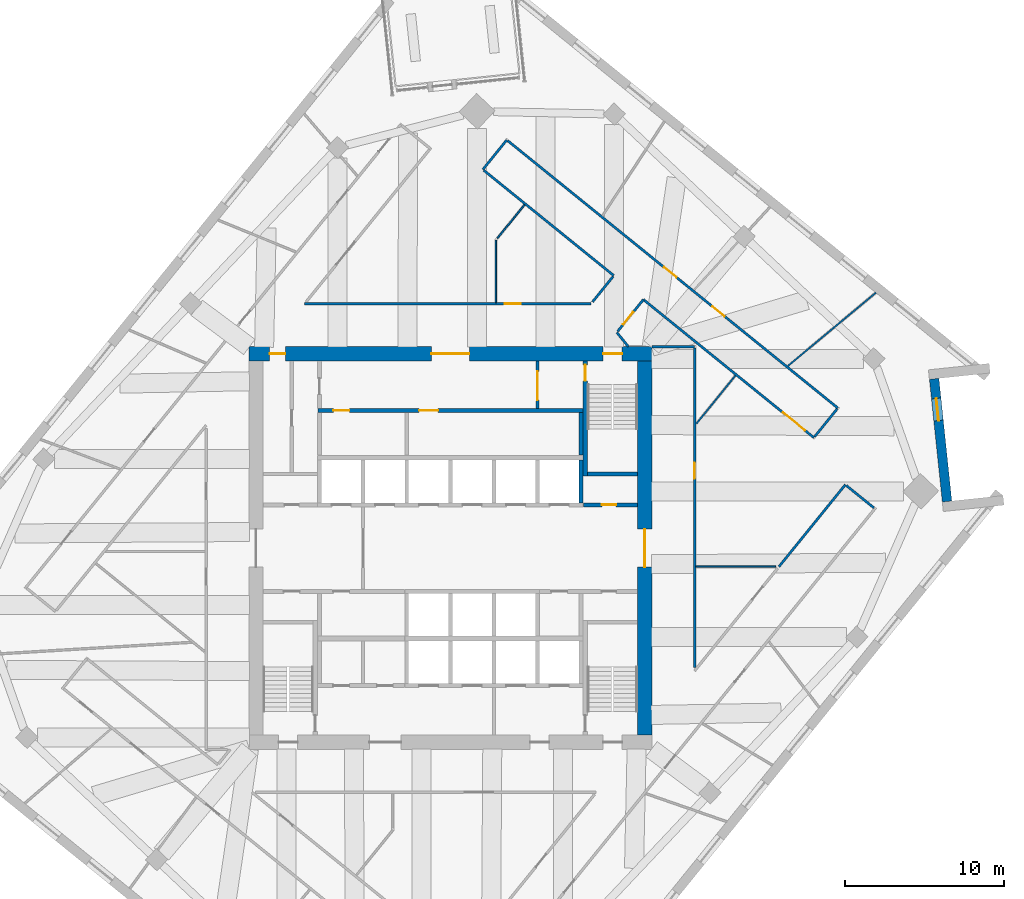
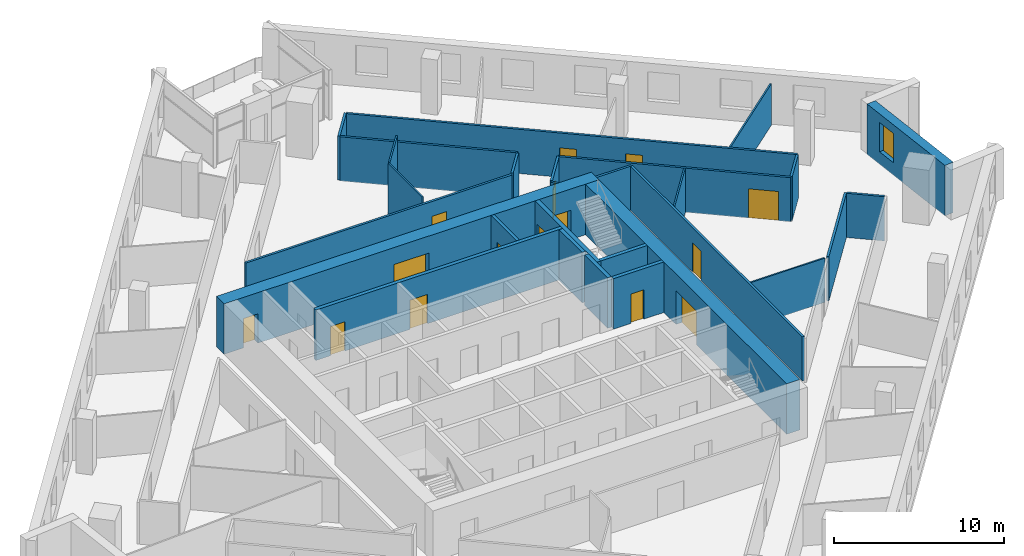
# One storey, part 11 of 14: 28 walls, 15 doors, 1 window, 16 openings.
"""IFC4 building model written with IfcOpenShell, lengths in metres."""

from ifc_helpers import new_model, si_unit, direction, frame, frame_2d, origin, place, context, subcontext, project, spatial, rectangle, extrude, material, layer, layer_set, type_object, element, fill, save


model = new_model("IFC4")

# Units and contexts
model_context = context("Model", 3, precision=1e-05, world=origin(), true_north=direction((0.0, 1.0)))
body_context = subcontext(model_context, "Body", "Model", "MODEL_VIEW")
ifc_project = project(units=[si_unit("LENGTHUNIT", "METRE"), si_unit("AREAUNIT", "SQUARE_METRE"), si_unit("VOLUMEUNIT", "CUBIC_METRE"), si_unit("PLANEANGLEUNIT", "RADIAN"), si_unit("MASSUNIT", "GRAM", prefix="KILO")], contexts=[model_context])

# Site, building, storey
site_placement = place(None, origin())
site = spatial("IfcSite", under=ifc_project, at=site_placement, CompositionType="ELEMENT")
building_placement = place(site_placement, origin())
building = spatial("IfcBuilding", under=site, at=building_placement, Name="Dilmun Exchange Tower", CompositionType="ELEMENT")
storey_placement = place(building_placement, frame((0.0, 0.0, 233.300048828125)))
storey = spatial("IfcBuildingStorey", under=building, at=storey_placement, Name="L55", CompositionType="ELEMENT", Elevation=233.300048828125)

# Wall, opening, door
ifc_material_1 = material(Name="Concrete C40/50", Category="concrete")
ifc_layer_1 = layer(ifc_material_1, 0.199951171875)
ifc_layer_set_1 = layer_set([ifc_layer_1], Name="Concrete C40/50")
wall_type_1 = type_object("IfcWallType", Name="Core partition wall 200", PredefinedType="PARTITIONING", material=ifc_layer_set_1)
wall_1_placement = place(storey_placement, frame((5.5, 8.804931640625, 0.0), z_axis=(0.0, 0.0, 1.0), x_axis=(0.0, 1.0, 0.0)))
wall_1 = element("IfcWall", 1, at=wall_1_placement, inside=storey, type_object=wall_type_1, Name="L55 core partition wall 20", PredefinedType="PARTITIONING", context=body_context, shape_type="SweptSolid", body=[
    extrude(rectangle(XDim=2.989990234375, YDim=0.199951171875, at=frame_2d((1.4951171875, 0.0))), origin(), (0.0, 0.0, 1.0), 3.619873046875),
])
opening_1_placement = place(wall_1_placement, frame((0.532470703125, 0.0, 0.0)))
opening_1 = element("IfcOpeningElement", 2, at=opening_1_placement, cuts=wall_1, Name="Opening CD5", PredefinedType="OPENING", context=body_context, shape_type="SweptSolid", body=[
    extrude(rectangle(XDim=1.800048828125, YDim=2.10009765625, at=frame_2d((0.89990234375, 1.050048828125))), frame((0.0, 0.10986328125, 0.0), z_axis=(0.0, -1.0, 0.0), x_axis=(1.0, 0.0, 0.0)), (0.0, 0.0, 1.0), 0.219970703125),
])
ifc_material_2 = material(Name="Fire-rated steel door set", Category="steel")
door_type_1 = type_object("IfcDoorType", Name="Stair exit door 1800x2100", OperationType="SINGLE_SWING_LEFT", PredefinedType="DOOR", material=ifc_material_2)
door_1_placement = place(opening_1_placement, origin())
door_1 = element("IfcDoor", 3, at=door_1_placement, inside=storey, type_object=door_type_1, Name="L55 door Core corridor east", OperationType="SINGLE_SWING_LEFT", OverallHeight=2.10009765625, OverallWidth=1.800048828125, PredefinedType="DOOR", context=body_context, shape_type="SweptSolid", body=[
    extrude(rectangle(XDim=1.800048828125, YDim=2.10009765625, at=frame_2d((0.89990234375, 1.050048828125))), frame((0.0, 0.02490234375, 0.0), z_axis=(0.0, -1.0, 0.0), x_axis=(1.0, 0.0, 0.0)), (0.0, 0.0, 1.0), 0.050048828125),
])
fill(opening_1, door_1)

ifc_layer_2 = layer(ifc_material_1, 0.25)
ifc_layer_set_2 = layer_set([ifc_layer_2], Name="Concrete C40/50")
wall_type_2 = type_object("IfcWallType", Name="Core partition wall 250", PredefinedType="PARTITIONING", material=ifc_layer_set_2)
wall_2_placement = place(storey_placement, frame((8.3798828125, 2.72509765625, 0.0), z_axis=(0.0, 0.0, 1.0), x_axis=(1.0, 0.0, 0.0)))
wall_2 = element("IfcWall", 4, at=wall_2_placement, inside=storey, type_object=wall_type_2, Name="L55 core partition wall 12", PredefinedType="PARTITIONING", context=body_context, shape_type="SweptSolid", body=[
    extrude(rectangle(XDim=3.4150390625, YDim=0.25, at=frame_2d((1.70751953125, 0.0))), origin(), (0.0, 0.0, 1.0), 3.619873046875),
])
opening_2_placement = place(wall_2_placement, frame((1.169921875, 0.0, 0.0)))
opening_2 = element("IfcOpeningElement", 5, at=opening_2_placement, cuts=wall_2, Name="Opening CD6", PredefinedType="OPENING", context=body_context, shape_type="SweptSolid", body=[
    extrude(rectangle(XDim=0.89990234375, YDim=2.10009765625, at=frame_2d((0.449951171875, 1.050048828125))), frame((0.0, 0.135009765625, 0.0), z_axis=(0.0, -1.0, 0.0), x_axis=(1.0, 0.0, 0.0)), (0.0, 0.0, 1.0), 0.27001953125),
])
door_type_2 = type_object("IfcDoorType", Name="Core room door 900x2100", OperationType="SINGLE_SWING_LEFT", PredefinedType="DOOR", material=ifc_material_2)
door_2_placement = place(opening_2_placement, origin())
door_2 = element("IfcDoor", 6, at=door_2_placement, inside=storey, type_object=door_type_2, Name="L55 door Electrical riser", OperationType="SINGLE_SWING_RIGHT", OverallHeight=2.10009765625, OverallWidth=0.89990234375, PredefinedType="DOOR", context=body_context, shape_type="SweptSolid", body=[
    extrude(rectangle(XDim=0.89990234375, YDim=2.10009765625, at=frame_2d((0.449951171875, 1.050048828125))), frame((0.0, 0.02490234375, 0.0), z_axis=(0.0, -1.0, 0.0), x_axis=(1.0, 0.0, 0.0)), (0.0, 0.0, 1.0), 0.050048828125),
])
fill(opening_2, door_2)

# Wall
wall_3_placement = place(storey_placement, frame((8.25, 5.85498046875, 0.0), z_axis=(0.0, 0.0, 1.0), x_axis=(0.0, 1.0, 0.0)))
element("IfcWall", 7, at=wall_3_placement, inside=storey, type_object=wall_type_2, Name="L55 core partition wall 17", PredefinedType="PARTITIONING", context=body_context, shape_type="SweptSolid", body=[
    extrude(rectangle(XDim=2.68994140625, YDim=0.25, at=frame_2d((1.344970703125, 0.0))), origin(), (0.0, 0.0, 1.0), 3.619873046875),
])

# Wall, openings, doors
wall_4_placement = place(storey_placement, frame((-8.35009765625, 8.675048828125, 0.0), z_axis=(0.0, 0.0, 1.0), x_axis=(1.0, 0.0, 0.0)))
wall_4 = element("IfcWall", 8, at=wall_4_placement, inside=storey, type_object=wall_type_2, Name="L55 core partition wall 18", PredefinedType="PARTITIONING", context=body_context, shape_type="SweptSolid", body=[
    extrude(rectangle(XDim=16.72021484375, YDim=0.25, at=frame_2d((8.360107421875, 0.0))), origin(), (0.0, 0.0, 1.0), 3.619873046875),
])
opening_3_placement = place(wall_4_placement, frame((0.97509765625, 0.0, 0.0)))
opening_3 = element("IfcOpeningElement", 9, at=opening_3_placement, cuts=wall_4, Name="Opening CD4", PredefinedType="OPENING", context=body_context, shape_type="SweptSolid", body=[
    extrude(rectangle(XDim=1.0, YDim=2.10009765625, at=frame_2d((0.5, 1.050048828125))), frame((0.0, 0.135009765625, 0.0), z_axis=(0.0, -1.0, 0.0), x_axis=(1.0, 0.0, 0.0)), (0.0, 0.0, 1.0), 0.27001953125),
])
opening_4_placement = place(wall_4_placement, frame((6.375, 0.0, 0.0)))
opening_4 = element("IfcOpeningElement", 10, at=opening_4_placement, cuts=wall_4, Name="Opening CD3", PredefinedType="OPENING", context=body_context, shape_type="SweptSolid", body=[
    extrude(rectangle(XDim=1.199951171875, YDim=2.10009765625, at=frame_2d((0.60009765625, 1.050048828125))), frame((0.0, 0.135009765625, 0.0), z_axis=(0.0, -1.0, 0.0), x_axis=(1.0, 0.0, 0.0)), (0.0, 0.0, 1.0), 0.27001953125),
])
door_type_3 = type_object("IfcDoorType", Name="Core room door 1000x2100", OperationType="SINGLE_SWING_LEFT", PredefinedType="DOOR", material=ifc_material_2)
door_3_placement = place(opening_3_placement, origin())
door_3 = element("IfcDoor", 11, at=door_3_placement, inside=storey, type_object=door_type_3, Name="L55 door Archive store", OperationType="SINGLE_SWING_RIGHT", OverallHeight=2.10009765625, OverallWidth=1.0, PredefinedType="DOOR", context=body_context, shape_type="SweptSolid", body=[
    extrude(rectangle(XDim=1.0, YDim=2.10009765625, at=frame_2d((0.5, 1.050048828125))), frame((0.0, 0.02490234375, 0.0), z_axis=(0.0, -1.0, 0.0), x_axis=(1.0, 0.0, 0.0)), (0.0, 0.0, 1.0), 0.050048828125),
])
fill(opening_3, door_3)
door_type_4 = type_object("IfcDoorType", Name="Stair exit door 1200x2100", OperationType="SINGLE_SWING_LEFT", PredefinedType="DOOR", material=ifc_material_2)
door_4_placement = place(opening_4_placement, origin())
door_4 = element("IfcDoor", 12, at=door_4_placement, inside=storey, type_object=door_type_4, Name="L55 door Facilities workshop", OperationType="SINGLE_SWING_LEFT", OverallHeight=2.10009765625, OverallWidth=1.199951171875, PredefinedType="DOOR", context=body_context, shape_type="SweptSolid", body=[
    extrude(rectangle(XDim=1.199951171875, YDim=2.10009765625, at=frame_2d((0.60009765625, 1.050048828125))), frame((0.0, 0.02490234375, 0.0), z_axis=(0.0, -1.0, 0.0), x_axis=(1.0, 0.0, 0.0)), (0.0, 0.0, 1.0), 0.050048828125),
])
fill(opening_4, door_4)

ifc_material_3 = material(Name="Concrete C60/75", Category="concrete")
ifc_layer_3 = layer(ifc_material_3, 0.89990234375)
ifc_layer_set_3 = layer_set([ifc_layer_3], Name="Concrete C60/75")
wall_type_3 = type_object("IfcWallType", Name="Core shear wall 900 Concrete C60/75", PredefinedType="SHEAR", material=ifc_layer_set_3)
wall_5_placement = place(storey_placement, frame((-12.699951171875, 12.25, 0.0), z_axis=(0.0, 0.0, 1.0), x_axis=(1.0, 0.0, 0.0)))
wall_5 = element("IfcWall", 13, at=wall_5_placement, inside=storey, type_object=wall_type_3, Name="L55 core shear wall N", PredefinedType="SHEAR", context=body_context, shape_type="SweptSolid", body=[
    extrude(rectangle(XDim=25.39990234375, YDim=0.89990234375, at=frame_2d((12.699951171875, 0.0))), origin(), (0.0, 0.0, 1.0), 3.619873046875),
])
opening_5_placement = place(wall_5_placement, frame((11.5, 0.0, 0.0)))
opening_5 = element("IfcOpeningElement", 14, at=opening_5_placement, cuts=wall_5, Name="Opening CD1", PredefinedType="OPENING", context=body_context, shape_type="SweptSolid", body=[
    extrude(rectangle(XDim=2.39990234375, YDim=2.39990234375, at=frame_2d((1.199951171875, 1.199951171875))), frame((0.0, 0.4599609375, 0.0), z_axis=(0.0, -1.0, 0.0), x_axis=(1.0, 0.0, 0.0)), (0.0, 0.0, 1.0), 0.919921875),
])
opening_6_placement = place(wall_5_placement, frame((22.324951171875, 0.0, 0.0)))
opening_6 = element("IfcOpeningElement", 15, at=opening_6_placement, cuts=wall_5, Name="Opening CD3", PredefinedType="OPENING", context=body_context, shape_type="SweptSolid", body=[
    extrude(rectangle(XDim=1.199951171875, YDim=2.10009765625, at=frame_2d((0.60009765625, 1.050048828125))), frame((0.0, 0.4599609375, 0.0), z_axis=(0.0, -1.0, 0.0), x_axis=(1.0, 0.0, 0.0)), (0.0, 0.0, 1.0), 0.919921875),
])
opening_7_placement = place(wall_5_placement, frame((1.300048828125, 0.0, 0.0)))
opening_7 = element("IfcOpeningElement", 16, at=opening_7_placement, cuts=wall_5, Name="Opening CD4", PredefinedType="OPENING", context=body_context, shape_type="SweptSolid", body=[
    extrude(rectangle(XDim=1.0, YDim=2.10009765625, at=frame_2d((0.5, 1.050048828125))), frame((0.0, 0.4599609375, 0.0), z_axis=(0.0, -1.0, 0.0), x_axis=(1.0, 0.0, 0.0)), (0.0, 0.0, 1.0), 0.919921875),
])
door_type_5 = type_object("IfcDoorType", Name="Core lobby door 2400x2400", OperationType="DOUBLE_DOOR_DOUBLE_SWING", PredefinedType="DOOR", material=ifc_material_2)
door_5_placement = place(opening_5_placement, origin())
door_5 = element("IfcDoor", 17, at=door_5_placement, inside=storey, type_object=door_type_5, Name="L55 door North lift lobby", OperationType="SINGLE_SWING_LEFT", OverallHeight=2.39990234375, OverallWidth=2.39990234375, PredefinedType="DOOR", context=body_context, shape_type="SweptSolid", body=[
    extrude(rectangle(XDim=2.39990234375, YDim=2.39990234375, at=frame_2d((1.199951171875, 1.199951171875))), frame((0.0, 0.02490234375, 0.0), z_axis=(0.0, -1.0, 0.0), x_axis=(1.0, 0.0, 0.0)), (0.0, 0.0, 1.0), 0.050048828125),
])
fill(opening_5, door_5)
door_6_placement = place(opening_7_placement, origin())
door_6 = element("IfcDoor", 18, at=door_6_placement, inside=storey, type_object=door_type_3, Name="L55 door North-west core rooms", OperationType="SINGLE_SWING_LEFT", OverallHeight=2.10009765625, OverallWidth=1.0, PredefinedType="DOOR", context=body_context, shape_type="SweptSolid", body=[
    extrude(rectangle(XDim=1.0, YDim=2.10009765625, at=frame_2d((0.5, 1.050048828125))), frame((0.0, 0.02490234375, 0.0), z_axis=(0.0, -1.0, 0.0), x_axis=(1.0, 0.0, 0.0)), (0.0, 0.0, 1.0), 0.050048828125),
])
fill(opening_7, door_6)
door_7_placement = place(opening_6_placement, origin())
door_7 = element("IfcDoor", 19, at=door_7_placement, inside=storey, type_object=door_type_4, Name="L55 door Stair ST1", OperationType="SINGLE_SWING_LEFT", OverallHeight=2.10009765625, OverallWidth=1.199951171875, PredefinedType="DOOR", context=body_context, shape_type="SweptSolid", body=[
    extrude(rectangle(XDim=1.199951171875, YDim=2.10009765625, at=frame_2d((0.60009765625, 1.050048828125))), frame((0.0, 0.02490234375, 0.0), z_axis=(0.0, -1.0, 0.0), x_axis=(1.0, 0.0, 0.0)), (0.0, 0.0, 1.0), 0.050048828125),
])
fill(opening_6, door_7)

# Wall, opening, door
wall_6_placement = place(storey_placement, frame((12.25, -11.800048828125, 0.0), z_axis=(0.0, 0.0, 1.0), x_axis=(0.0, 1.0, 0.0)))
wall_6 = element("IfcWall", 20, at=wall_6_placement, inside=storey, type_object=wall_type_3, Name="L55 core shear wall E", PredefinedType="SHEAR", context=body_context, shape_type="SweptSolid", body=[
    extrude(rectangle(XDim=23.60009765625, YDim=0.89990234375, at=frame_2d((11.800048828125, 0.0))), origin(), (0.0, 0.0, 1.0), 3.619873046875),
])
opening_8_placement = place(wall_6_placement, frame((10.60009765625, 0.0, 0.0)))
opening_8 = element("IfcOpeningElement", 21, at=opening_8_placement, cuts=wall_6, Name="Opening CD1", PredefinedType="OPENING", context=body_context, shape_type="SweptSolid", body=[
    extrude(rectangle(XDim=2.39990234375, YDim=2.39990234375, at=frame_2d((1.199951171875, 1.199951171875))), frame((0.0, 0.4599609375, 0.0), z_axis=(0.0, -1.0, 0.0), x_axis=(1.0, 0.0, 0.0)), (0.0, 0.0, 1.0), 0.919921875),
])
door_8_placement = place(opening_8_placement, origin())
door_8 = element("IfcDoor", 22, at=door_8_placement, inside=storey, type_object=door_type_5, Name="L55 door Central lift lobby", OperationType="SINGLE_SWING_LEFT", OverallHeight=2.39990234375, OverallWidth=2.39990234375, PredefinedType="DOOR", context=body_context, shape_type="SweptSolid", body=[
    extrude(rectangle(XDim=2.39990234375, YDim=2.39990234375, at=frame_2d((1.199951171875, 1.199951171875))), frame((0.0, 0.02490234375, 0.0), z_axis=(0.0, -1.0, 0.0), x_axis=(1.0, 0.0, 0.0)), (0.0, 0.0, 1.0), 0.050048828125),
])
fill(opening_8, door_8)

ifc_material_4 = material(Name="Corridor wall 150")
ifc_layer_4 = layer(ifc_material_4, 0.14990234375)
ifc_layer_set_4 = layer_set([ifc_layer_4], Name="Corridor wall 150")
wall_type_4 = type_object("IfcWallType", Name="Corridor wall 150", PredefinedType="PARTITIONING", material=ifc_layer_set_4)
wall_7_placement = place(storey_placement, frame((-9.196044921875, 15.39990234375, 0.0), z_axis=(0.0, 0.0, 1.0), x_axis=(1.0, 0.0, 0.0)))
wall_7 = element("IfcWall", 23, at=wall_7_placement, inside=storey, type_object=wall_type_4, Name="Corridor wall", PredefinedType="PARTITIONING", context=body_context, shape_type="SweptSolid", body=[
    extrude(rectangle(XDim=18.06005859375, YDim=0.14990234375, at=frame_2d((9.030029296875, 0.0))), origin(), (0.0, 0.0, 1.0), 3.169921875),
])
opening_9_placement = place(wall_7_placement, frame((12.620849609375, 0.0, 0.0)))
opening_9 = element("IfcOpeningElement", 24, at=opening_9_placement, cuts=wall_7, Name="Opening TF53-D15", PredefinedType="OPENING", context=body_context, shape_type="SweptSolid", body=[
    extrude(rectangle(XDim=1.0, YDim=2.10009765625, at=frame_2d((0.5, 1.050048828125))), frame((0.0, 0.0849609375, 0.0), z_axis=(0.0, -1.0, 0.0), x_axis=(1.0, 0.0, 0.0)), (0.0, 0.0, 1.0), 0.169921875),
])
ifc_material_5 = material(Name="Fire door 1000 x 2100")
door_type_6 = type_object("IfcDoorType", Name="Fire door 1000 x 2100", OperationType="NOTDEFINED", PredefinedType="DOOR", material=ifc_material_5)
door_9_placement = place(opening_9_placement, origin())
door_9 = element("IfcDoor", 25, at=door_9_placement, inside=storey, type_object=door_type_6, Name="Door TF53-D15", OperationType="SINGLE_SWING_LEFT", OverallHeight=2.10009765625, OverallWidth=1.0, PredefinedType="DOOR", context=body_context, shape_type="SweptSolid", body=[
    extrude(rectangle(XDim=1.0, YDim=2.10009765625, at=frame_2d((0.5, 1.050048828125))), frame((0.0, 0.02490234375, 0.0), z_axis=(0.0, -1.0, 0.0), x_axis=(1.0, 0.0, 0.0)), (0.0, 0.0, 1.0), 0.050048828125),
])
fill(opening_9, door_9)

# Walls
wall_8_placement = place(storey_placement, frame((2.047119140625, 23.868896484375, 0.0), z_axis=(0.0, 0.0, 1.0), x_axis=(0.62925964887, 0.777195145574, 0.0)))
element("IfcWall", 26, at=wall_8_placement, inside=storey, type_object=wall_type_4, Name="Corridor wall", PredefinedType="PARTITIONING", context=body_context, shape_type="SweptSolid", body=[
    extrude(rectangle(XDim=2.401123046875, YDim=0.14990234375, at=frame_2d((1.20068359375, 0.0))), origin(), (0.0, 0.0, 1.0), 3.169921875),
])
wall_9_placement = place(storey_placement, frame((2.105224609375, 23.82177734375, 0.0), z_axis=(0.0, 0.0, 1.0), x_axis=(0.777178600468, -0.62928008309, 0.0)))
element("IfcWall", 27, at=wall_9_placement, inside=storey, type_object=wall_type_4, Name="Corridor wall", PredefinedType="PARTITIONING", context=body_context, shape_type="SweptSolid", body=[
    extrude(rectangle(XDim=10.55322265625, YDim=0.14990234375, at=frame_2d((5.276611328125, 0.0))), origin(), (0.0, 0.0, 1.0), 3.169921875),
])

# Wall, openings, doors
wall_10_placement = place(storey_placement, frame((3.6162109375, 25.687744140625, 0.0), z_axis=(0.0, 0.0, 1.0), x_axis=(0.777137029952, -0.62933142038, 0.0)))
wall_10 = element("IfcWall", 28, at=wall_10_placement, inside=storey, type_object=wall_type_4, Name="Corridor wall", PredefinedType="PARTITIONING", context=body_context, shape_type="SweptSolid", body=[
    extrude(rectangle(XDim=26.78515625, YDim=0.14990234375, at=frame_2d((13.392578125, 0.0))), origin(), (0.0, 0.0, 1.0), 3.169921875),
])
opening_10_placement = place(wall_10_placement, frame((12.68212890625, 0.0, 0.0)))
opening_10 = element("IfcOpeningElement", 29, at=opening_10_placement, cuts=wall_10, Name="Opening TF53-D18", PredefinedType="OPENING", context=body_context, shape_type="SweptSolid", body=[
    extrude(rectangle(XDim=1.0, YDim=2.10009765625, at=frame_2d((0.5, 1.050048828125))), frame((0.0, 0.0849609375, 0.0), z_axis=(0.0, -1.0, 0.0), x_axis=(1.0, 0.0, 0.0)), (0.0, 0.0, 1.0), 0.169921875),
])
opening_11_placement = place(wall_10_placement, frame((16.596923828125, 0.0, 0.0)))
opening_11 = element("IfcOpeningElement", 30, at=opening_11_placement, cuts=wall_10, Name="Opening TF53-D22", PredefinedType="OPENING", context=body_context, shape_type="SweptSolid", body=[
    extrude(rectangle(XDim=1.0, YDim=2.10009765625, at=frame_2d((0.5, 1.050048828125))), frame((0.0, 0.0849609375, 0.0), z_axis=(0.0, -1.0, 0.0), x_axis=(1.0, 0.0, 0.0)), (0.0, 0.0, 1.0), 0.169921875),
])
door_10_placement = place(opening_10_placement, origin())
door_10 = element("IfcDoor", 31, at=door_10_placement, inside=storey, type_object=door_type_6, Name="Door TF53-D18", OperationType="SINGLE_SWING_LEFT", OverallHeight=2.10009765625, OverallWidth=1.0, PredefinedType="DOOR", context=body_context, shape_type="SweptSolid", body=[
    extrude(rectangle(XDim=1.0, YDim=2.10009765625, at=frame_2d((0.5, 1.050048828125))), frame((0.0, 0.02490234375, 0.0), z_axis=(0.0, -1.0, 0.0), x_axis=(1.0, 0.0, 0.0)), (0.0, 0.0, 1.0), 0.050048828125),
])
fill(opening_10, door_10)
door_11_placement = place(opening_11_placement, origin())
door_11 = element("IfcDoor", 32, at=door_11_placement, inside=storey, type_object=door_type_6, Name="Door TF53-D22", OperationType="SINGLE_SWING_RIGHT", OverallHeight=2.10009765625, OverallWidth=1.0, PredefinedType="DOOR", context=body_context, shape_type="SweptSolid", body=[
    extrude(rectangle(XDim=1.0, YDim=2.10009765625, at=frame_2d((0.5, 1.050048828125))), frame((0.0, 0.02490234375, 0.0), z_axis=(0.0, -1.0, 0.0), x_axis=(1.0, 0.0, 0.0)), (0.0, 0.0, 1.0), 0.050048828125),
])
fill(opening_11, door_11)

# Walls
wall_11_placement = place(storey_placement, frame((8.962890625, 15.522216796875, 0.0), z_axis=(0.0, 0.0, 1.0), x_axis=(0.629539094885, 0.776968807618, 0.0)))
element("IfcWall", 33, at=wall_11_placement, inside=storey, type_object=wall_type_4, Name="Corridor wall", PredefinedType="PARTITIONING", context=body_context, shape_type="SweptSolid", body=[
    extrude(rectangle(XDim=2.06005859375, YDim=0.14990234375, at=frame_2d((1.030029296875, 0.0))), origin(), (0.0, 0.0, 1.0), 3.169921875),
])
wall_12_placement = place(storey_placement, frame((10.4951171875, 13.60009765625, 0.0), z_axis=(0.0, 0.0, 1.0), x_axis=(0.629870659229, -0.776700040326, 0.0)))
element("IfcWall", 34, at=wall_12_placement, inside=storey, type_object=wall_type_4, Name="Corridor wall", PredefinedType="PARTITIONING", context=body_context, shape_type="SweptSolid", body=[
    extrude(rectangle(XDim=1.158935546875, YDim=0.14990234375, at=frame_2d((0.57958984375, 0.0))), origin(), (0.0, 0.0, 1.0), 3.169921875),
])

# Wall, opening, door
wall_13_placement = place(storey_placement, frame((10.55322265625, 13.671875, 0.0), z_axis=(0.0, 0.0, 1.0), x_axis=(0.629534094475, 0.776972859174, 0.0)))
wall_13 = element("IfcWall", 35, at=wall_13_placement, inside=storey, type_object=wall_type_4, Name="Corridor wall", PredefinedType="PARTITIONING", context=body_context, shape_type="SweptSolid", body=[
    extrude(rectangle(XDim=2.571533203125, YDim=0.14990234375, at=frame_2d((1.28564453125, 0.0))), origin(), (0.0, 0.0, 1.0), 3.169921875),
])
opening_12_placement = place(wall_13_placement, frame((0.550048828125, 0.0, 0.0)))
opening_12 = element("IfcOpeningElement", 36, at=opening_12_placement, cuts=wall_13, Name="Opening TF53-D17", PredefinedType="OPENING", context=body_context, shape_type="SweptSolid", body=[
    extrude(rectangle(XDim=1.0, YDim=2.10009765625, at=frame_2d((0.5, 1.050048828125))), frame((0.0, 0.0849609375, 0.0), z_axis=(0.0, -1.0, 0.0), x_axis=(1.0, 0.0, 0.0)), (0.0, 0.0, 1.0), 0.169921875),
])
door_12_placement = place(opening_12_placement, frame((1.0, 0.0, 0.0), z_axis=(0.0, 0.0, 1.0), x_axis=(-1.0, 0.0, 0.0)))
door_12 = element("IfcDoor", 37, at=door_12_placement, inside=storey, type_object=door_type_6, Name="Door TF53-D17", OperationType="SINGLE_SWING_LEFT", OverallHeight=2.10009765625, OverallWidth=1.0, PredefinedType="DOOR", context=body_context, shape_type="SweptSolid", body=[
    extrude(rectangle(XDim=1.0, YDim=2.10009765625, at=frame_2d((0.5, 1.050048828125))), frame((0.0, 0.02490234375, 0.0), z_axis=(0.0, -1.0, 0.0), x_axis=(1.0, 0.0, 0.0)), (0.0, 0.0, 1.0), 0.050048828125),
])
fill(opening_12, door_12)

wall_14_placement = place(storey_placement, frame((12.172119140625, 15.6708984375, 0.0), z_axis=(0.0, 0.0, 1.0), x_axis=(0.777123609621, -0.629347992266, 0.0)))
wall_14 = element("IfcWall", 38, at=wall_14_placement, inside=storey, type_object=wall_type_4, Name="Corridor wall", PredefinedType="PARTITIONING", context=body_context, shape_type="SweptSolid", body=[
    extrude(rectangle(XDim=13.8330078125, YDim=0.14990234375, at=frame_2d((6.91650390625, 0.0))), origin(), (0.0, 0.0, 1.0), 3.169921875),
])
opening_13_placement = place(wall_14_placement, frame((11.32373046875, 0.0, 0.0)))
opening_13 = element("IfcOpeningElement", 39, at=opening_13_placement, cuts=wall_14, Name="Opening TF53-D23", PredefinedType="OPENING", context=body_context, shape_type="SweptSolid", body=[
    extrude(rectangle(XDim=1.800048828125, YDim=2.10009765625, at=frame_2d((0.89990234375, 1.050048828125))), frame((0.0, 0.0849609375, 0.0), z_axis=(0.0, -1.0, 0.0), x_axis=(1.0, 0.0, 0.0)), (0.0, 0.0, 1.0), 0.169921875),
])
ifc_material_6 = material(Name="Fire door pair 1800 x 2100")
door_type_7 = type_object("IfcDoorType", Name="Fire door pair 1800 x 2100", OperationType="NOTDEFINED", PredefinedType="DOOR", material=ifc_material_6)
door_13_placement = place(opening_13_placement, frame((1.800048828125, 0.0, 0.0), z_axis=(0.0, 0.0, 1.0), x_axis=(-1.0, 0.0, 0.0)))
door_13 = element("IfcDoor", 40, at=door_13_placement, inside=storey, type_object=door_type_7, Name="Door TF53-D23", OperationType="DOUBLE_DOOR_SINGLE_SWING", OverallHeight=2.10009765625, OverallWidth=1.800048828125, PredefinedType="DOOR", context=body_context, shape_type="SweptSolid", body=[
    extrude(rectangle(XDim=1.800048828125, YDim=2.10009765625, at=frame_2d((0.89990234375, 1.050048828125))), frame((0.0, 0.02490234375, 0.0), z_axis=(0.0, -1.0, 0.0), x_axis=(1.0, 0.0, 0.0)), (0.0, 0.0, 1.0), 0.050048828125),
])
fill(opening_13, door_13)

# Wall
wall_15_placement = place(storey_placement, frame((12.699951171875, 12.699951171875, 0.0), z_axis=(0.0, 0.0, 1.0), x_axis=(1.0, 0.0, 0.0)))
element("IfcWall", 41, at=wall_15_placement, inside=storey, type_object=wall_type_4, Name="Corridor wall", PredefinedType="PARTITIONING", context=body_context, shape_type="SweptSolid", body=[
    extrude(rectangle(XDim=2.699951171875, YDim=0.14990234375, at=frame_2d((1.35009765625, 0.0))), origin(), (0.0, 0.0, 1.0), 3.169921875),
])

# Wall, opening, door
wall_16_placement = place(storey_placement, frame((15.39990234375, -7.527099609375, 0.0), z_axis=(0.0, 0.0, 1.0), x_axis=(0.0, 1.0, 0.0)))
wall_16 = element("IfcWall", 42, at=wall_16_placement, inside=storey, type_object=wall_type_4, Name="Corridor wall", PredefinedType="PARTITIONING", context=body_context, shape_type="SweptSolid", body=[
    extrude(rectangle(XDim=20.152099609375, YDim=0.14990234375, at=frame_2d((10.076171875, 0.0))), origin(), (0.0, 0.0, 1.0), 3.169921875),
])
opening_14_placement = place(wall_16_placement, frame((11.908447265625, 0.0, 0.0)))
opening_14 = element("IfcOpeningElement", 43, at=opening_14_placement, cuts=wall_16, Name="Opening TF53-D24", PredefinedType="OPENING", context=body_context, shape_type="SweptSolid", body=[
    extrude(rectangle(XDim=1.0, YDim=2.10009765625, at=frame_2d((0.5, 1.050048828125))), frame((0.0, 0.0849609375, 0.0), z_axis=(0.0, -1.0, 0.0), x_axis=(1.0, 0.0, 0.0)), (0.0, 0.0, 1.0), 0.169921875),
])
door_14_placement = place(opening_14_placement, frame((1.0, 0.0, 0.0), z_axis=(0.0, 0.0, 1.0), x_axis=(-1.0, 0.0, 0.0)))
door_14 = element("IfcDoor", 44, at=door_14_placement, inside=storey, type_object=door_type_6, Name="Door TF53-D24", OperationType="SINGLE_SWING_RIGHT", OverallHeight=2.10009765625, OverallWidth=1.0, PredefinedType="DOOR", context=body_context, shape_type="SweptSolid", body=[
    extrude(rectangle(XDim=1.0, YDim=2.10009765625, at=frame_2d((0.5, 1.050048828125))), frame((0.0, 0.02490234375, 0.0), z_axis=(0.0, -1.0, 0.0), x_axis=(1.0, 0.0, 0.0)), (0.0, 0.0, 1.0), 0.050048828125),
])
fill(opening_14, door_14)

# Walls
wall_17_placement = place(storey_placement, frame((20.720947265625, -1.1689453125, 0.0), z_axis=(0.0, 0.0, 1.0), x_axis=(0.629297540066, 0.777164465262, 0.0)))
element("IfcWall", 45, at=wall_17_placement, inside=storey, type_object=wall_type_4, Name="Corridor wall", PredefinedType="PARTITIONING", context=body_context, shape_type="SweptSolid", body=[
    extrude(rectangle(XDim=6.647216796875, YDim=0.14990234375, at=frame_2d((3.32373046875, 0.0))), origin(), (0.0, 0.0, 1.0), 3.169921875),
])
wall_18_placement = place(storey_placement, frame((22.96923828125, 7.023193359375, 0.0), z_axis=(0.0, 0.0, 1.0), x_axis=(0.628998475829, 0.777406532906, 0.0)))
element("IfcWall", 46, at=wall_18_placement, inside=storey, type_object=wall_type_4, Name="Corridor wall", PredefinedType="PARTITIONING", context=body_context, shape_type="SweptSolid", body=[
    extrude(rectangle(XDim=2.25048828125, YDim=0.14990234375, at=frame_2d((1.125244140625, 0.0))), origin(), (0.0, 0.0, 1.0), 3.169921875),
])
wall_19_placement = place(storey_placement, frame((24.96240234375, 3.94970703125, 0.0), z_axis=(0.0, 0.0, 1.0), x_axis=(0.777191791734, -0.629263791157, 0.0)))
element("IfcWall", 47, at=wall_19_placement, inside=storey, type_object=wall_type_4, Name="Corridor wall", PredefinedType="PARTITIONING", context=body_context, shape_type="SweptSolid", body=[
    extrude(rectangle(XDim=2.24951171875, YDim=0.14990234375, at=frame_2d((1.124755859375, 0.0))), origin(), (0.0, 0.0, 1.0), 3.169921875),
])
ifc_layer_5 = layer(ifc_material_1, 0.25)
ifc_layer_set_5 = layer_set([ifc_layer_5], Name="Concrete C40/50")
wall_type_5 = type_object("IfcWallType", Name="Lift shaft wall 250", PredefinedType="SOLIDWALL", material=ifc_layer_set_5)
wall_20_placement = place(storey_placement, frame((8.25, 2.85009765625, 0.0), z_axis=(0.0, 0.0, 1.0), x_axis=(0.0, 1.0, 0.0)))
element("IfcWall", 48, at=wall_20_placement, inside=storey, type_object=wall_type_5, Name="L55 lift shaft divider N16", PredefinedType="SOLIDWALL", context=body_context, shape_type="SweptSolid", body=[
    extrude(rectangle(XDim=2.699951171875, YDim=0.25, at=frame_2d((1.35009765625, 0.0))), origin(), (0.0, 0.0, 1.0), 3.619873046875),
])
ifc_material_7 = material(Name="Partition 100")
ifc_layer_6 = layer(ifc_material_7, 0.10009765625)
ifc_layer_set_6 = layer_set([ifc_layer_6], Name="Partition 100")
wall_type_6 = type_object("IfcWallType", Name="Partition 100", PredefinedType="PARTITIONING", material=ifc_layer_set_6)
wall_21_placement = place(storey_placement, frame((2.875, 15.47509765625, 0.0), z_axis=(0.0, 0.0, 1.0), x_axis=(0.0, 1.0, 0.0)))
element("IfcWall", 49, at=wall_21_placement, inside=storey, type_object=wall_type_6, Name="Partition", PredefinedType="PARTITIONING", context=body_context, shape_type="SweptSolid", body=[
    extrude(rectangle(XDim=3.948974609375, YDim=0.10009765625, at=frame_2d((1.974609375, 0.0))), origin(), (0.0, 0.0, 1.0), 3.619873046875),
])
wall_22_placement = place(storey_placement, frame((2.9638671875, 19.53369140625, 0.0), z_axis=(0.0, 0.0, 1.0), x_axis=(0.629242163311, 0.777209302513, 0.0)))
element("IfcWall", 50, at=wall_22_placement, inside=storey, type_object=wall_type_6, Name="Partition", PredefinedType="PARTITIONING", context=body_context, shape_type="SweptSolid", body=[
    extrude(rectangle(XDim=2.717529296875, YDim=0.10009765625, at=frame_2d((1.35888671875, 0.0))), origin(), (0.0, 0.0, 1.0), 3.619873046875),
])
wall_23_placement = place(storey_placement, frame((15.47509765625, -1.1689453125, 0.0), z_axis=(0.0, 0.0, 1.0), x_axis=(1.0, 0.0, 0.0)))
element("IfcWall", 51, at=wall_23_placement, inside=storey, type_object=wall_type_6, Name="Partition", PredefinedType="PARTITIONING", context=body_context, shape_type="SweptSolid", body=[
    extrude(rectangle(XDim=5.02685546875, YDim=0.10009765625, at=frame_2d((2.513427734375, 0.0))), origin(), (0.0, 0.0, 1.0), 3.169921875),
])
wall_24_placement = place(storey_placement, frame((15.513916015625, 7.842529296875, 0.0), z_axis=(0.0, 0.0, 1.0), x_axis=(0.629311514858, 0.777153149172, 0.0)))
element("IfcWall", 52, at=wall_24_placement, inside=storey, type_object=wall_type_6, Name="Partition", PredefinedType="PARTITIONING", context=body_context, shape_type="SweptSolid", body=[
    extrude(rectangle(XDim=3.905517578125, YDim=0.10009765625, at=frame_2d((1.95263671875, 0.0))), origin(), (0.0, 0.0, 1.0), 3.169921875),
])
wall_25_placement = place(storey_placement, frame((21.286376953125, 11.4873046875, 0.0), z_axis=(0.0, 0.0, 1.0), x_axis=(0.768459840101, 0.639898018556, 0.0)))
element("IfcWall", 53, at=wall_25_placement, inside=storey, type_object=wall_type_6, Name="Partition", PredefinedType="PARTITIONING", context=body_context, shape_type="SweptSolid", body=[
    extrude(rectangle(XDim=7.21240234375, YDim=0.10009765625, at=frame_2d((3.606201171875, 0.0))), origin(), (0.0, 0.0, 1.0), 2.969970703125),
])

# Wall, opening, window
ifc_material_8 = material(Name="Precast concrete C50/60", Category="concrete")
ifc_layer_7 = layer(ifc_material_8, 0.60009765625)
ifc_layer_set_7 = layer_set([ifc_layer_7], Name="Precast concrete C50/60")
wall_type_7 = type_object("IfcWallType", Name="Precast stone-clad wall 600", PredefinedType="STANDARD", material=ifc_layer_set_7)
wall_26_placement = place(storey_placement, frame((31.320068359375, 2.936279296875, 0.0), z_axis=(0.0, 0.0, 1.0), x_axis=(-0.104552439276, 0.994519375096, 0.0)))
wall_26 = element("IfcWall", 54, at=wall_26_placement, inside=storey, type_object=wall_type_7, Name="Facade wall L55-13", PredefinedType="STANDARD", context=body_context, shape_type="SweptSolid", body=[
    extrude(rectangle(XDim=7.7783203125, YDim=0.60009765625, at=frame_2d((3.88916015625, 0.0))), origin(), (0.0, 0.0, 1.0), 3.619873046875),
])
opening_15_placement = place(wall_26_placement, frame((5.133544921875, 0.0, 0.89990234375)))
opening_15 = element("IfcOpeningElement", 55, at=opening_15_placement, cuts=wall_26, Name="Opening W140-210", PredefinedType="OPENING", context=body_context, shape_type="SweptSolid", body=[
    extrude(rectangle(XDim=1.39990234375, YDim=2.10009765625, at=frame_2d((0.699951171875, 1.050048828125))), frame((0.0, 0.31005859375, 0.0), z_axis=(0.0, -1.0, 0.0), x_axis=(1.0, 0.0, 0.0)), (0.0, 0.0, 1.0), 0.6201171875),
])
ifc_material_9 = material(Name="Clear low-emissivity glass in aluminium frame", Category="aluminium")
window_type = type_object("IfcWindowType", Name="Punched window 1400 x 2100", PartitioningType="DOUBLE_PANEL_VERTICAL", PredefinedType="WINDOW", material=ifc_material_9)
window_placement = place(opening_15_placement, origin())
window = element("IfcWindow", 56, at=window_placement, inside=storey, type_object=window_type, Name="Window 14.2", OverallHeight=2.10009765625, OverallWidth=1.39990234375, PartitioningType="SINGLE_PANEL", PredefinedType="WINDOW", context=body_context, shape_type="SweptSolid", body=[
    extrude(rectangle(XDim=1.39990234375, YDim=2.10009765625, at=frame_2d((0.699951171875, 1.050048828125))), frame((0.0, 0.030029296875, 0.0), z_axis=(0.0, -1.0, 0.0), x_axis=(1.0, 0.0, 0.0)), (0.0, 0.0, 1.0), 0.06005859375),
])
fill(opening_15, window)

# Wall
ifc_layer_8 = layer(ifc_material_1, 0.25)
ifc_layer_set_8 = layer_set([ifc_layer_8], Name="Concrete C40/50")
wall_type_8 = type_object("IfcWallType", Name="Stair end wall 250", PredefinedType="SOLIDWALL", material=ifc_layer_set_8)
wall_27_placement = place(storey_placement, frame((8.64990234375, 4.675048828125, 0.0), z_axis=(0.0, 0.0, 1.0), x_axis=(1.0, 0.0, 0.0)))
element("IfcWall", 57, at=wall_27_placement, inside=storey, type_object=wall_type_8, Name="L55 ST1 far wall", PredefinedType="SOLIDWALL", context=body_context, shape_type="SweptSolid", body=[
    extrude(rectangle(XDim=3.150146484375, YDim=0.25, at=frame_2d((1.5751953125, 0.0))), origin(), (0.0, 0.0, 1.0), 3.619873046875),
])

# Wall, opening, door
ifc_layer_9 = layer(ifc_material_1, 0.27490234375)
ifc_layer_set_9 = layer_set([ifc_layer_9], Name="Concrete C40/50")
wall_type_9 = type_object("IfcWallType", Name="Stair wall 275", PredefinedType="SOLIDWALL", material=ifc_layer_set_9)
wall_28_placement = place(storey_placement, frame((8.512451171875, 4.550048828125, 0.0), z_axis=(0.0, 0.0, 1.0), x_axis=(0.0, 1.0, 0.0)))
wall_28 = element("IfcWall", 58, at=wall_28_placement, inside=storey, type_object=wall_type_9, Name="L55 ST1 wall to lift block", PredefinedType="SOLIDWALL", context=body_context, shape_type="SweptSolid", body=[
    extrude(rectangle(XDim=7.25, YDim=0.27490234375, at=frame_2d((3.625, 0.0))), origin(), (0.0, 0.0, 1.0), 3.619873046875),
])
opening_16_placement = place(wall_28_placement, frame((6.0, 0.0, 0.0)))
opening_16 = element("IfcOpeningElement", 59, at=opening_16_placement, cuts=wall_28, Name="Opening CD4", PredefinedType="OPENING", context=body_context, shape_type="SweptSolid", body=[
    extrude(rectangle(XDim=1.0, YDim=2.10009765625, at=frame_2d((0.5, 1.050048828125))), frame((0.0, 0.1474609375, 0.0), z_axis=(0.0, -1.0, 0.0), x_axis=(1.0, 0.0, 0.0)), (0.0, 0.0, 1.0), 0.294921875),
])
door_15_placement = place(opening_16_placement, origin())
door_15 = element("IfcDoor", 60, at=door_15_placement, inside=storey, type_object=door_type_3, Name="L55 door ST1 from lobby", OperationType="SINGLE_SWING_LEFT", OverallHeight=2.10009765625, OverallWidth=1.0, PredefinedType="DOOR", context=body_context, shape_type="SweptSolid", body=[
    extrude(rectangle(XDim=1.0, YDim=2.10009765625, at=frame_2d((0.5, 1.050048828125))), frame((0.0, 0.02490234375, 0.0), z_axis=(0.0, -1.0, 0.0), x_axis=(1.0, 0.0, 0.0)), (0.0, 0.0, 1.0), 0.050048828125),
])
fill(opening_16, door_15)

save(model, "model.ifc")
